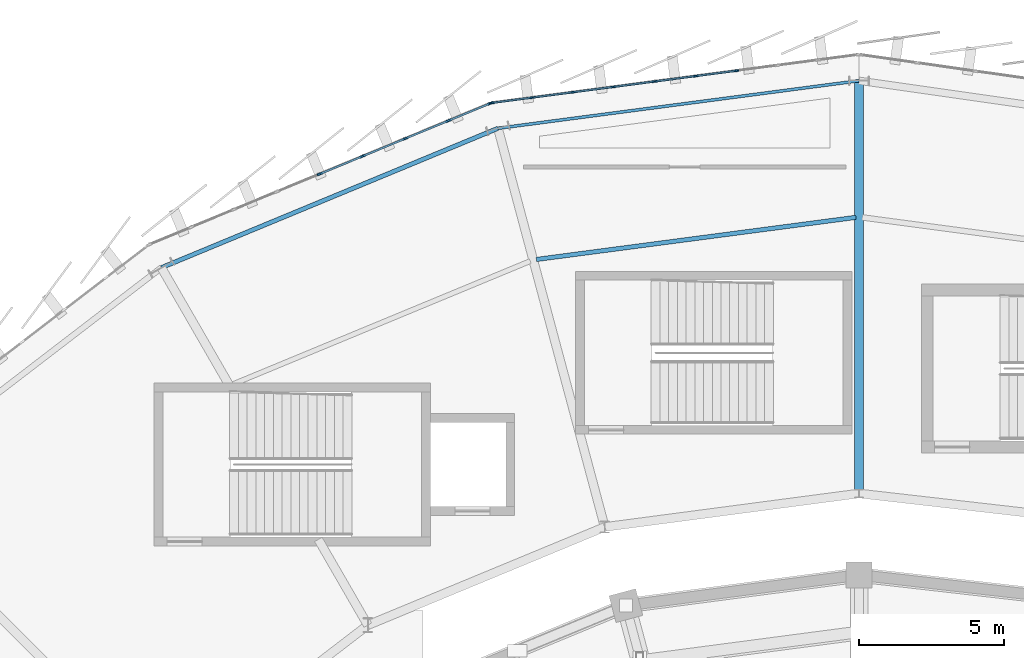
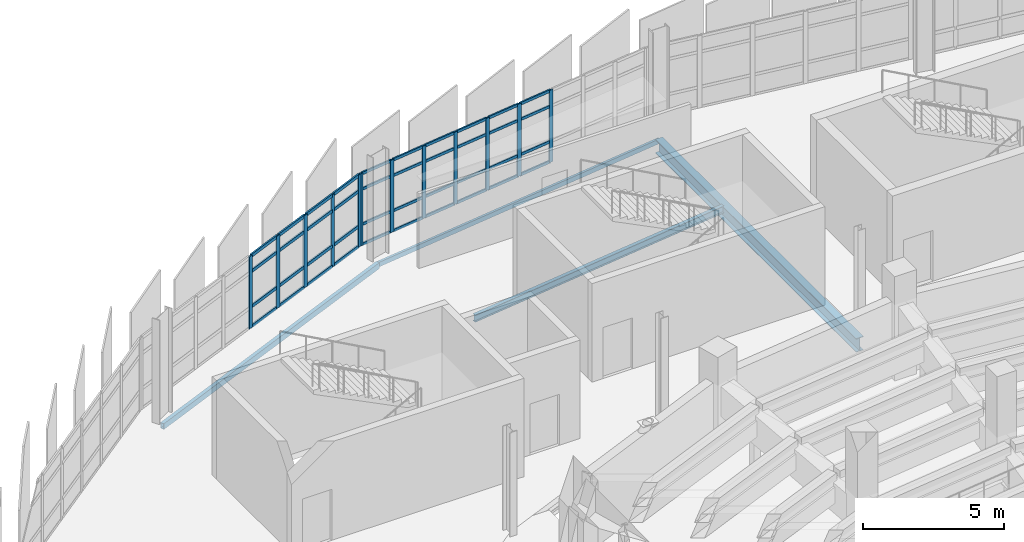
# One storey, part 51 of 120: 52 members, 4 beams, 2 elements without a shape of their own.
"""IFC4 building model written with IfcOpenShell, lengths in metres."""

from ifc_helpers import new_model, si_unit, direction, frame, origin, origin_2d, place, context, subcontext, project, spatial, rectangle, hollow_rectangle, i_section, extrude, material, layer, layer_set, material_profile, profile_set, type_object, element, aggregate, save


model = new_model("IFC4")

# Units and contexts
model_context = context("Model", 3, precision=1e-05, world=origin(), true_north=direction((0.0, 1.0)))
body_context = subcontext(model_context, "Body", "Model", "MODEL_VIEW")
ifc_project = project(units=[si_unit("LENGTHUNIT", "METRE"), si_unit("AREAUNIT", "SQUARE_METRE"), si_unit("VOLUMEUNIT", "CUBIC_METRE"), si_unit("PLANEANGLEUNIT", "RADIAN"), si_unit("MASSUNIT", "GRAM", prefix="KILO")], contexts=[model_context])

# Site, building, storey
site_placement = place(None, origin())
site = spatial("IfcSite", under=ifc_project, at=site_placement, CompositionType="ELEMENT")
building_placement = place(site_placement, origin())
building = spatial("IfcBuilding", under=site, at=building_placement, Name="Sohan Crest Arena", CompositionType="ELEMENT")
storey_placement = place(building_placement, frame((0.0, 0.0, 13.5)))
storey = spatial("IfcBuildingStorey", under=building, at=storey_placement, Name="L03", CompositionType="ELEMENT", Elevation=13.5)

# Curtain wall, members
ifc_material_1 = material(Name="Thermally broken anodised aluminium", Category="aluminium")
ifc_layer_1 = layer(ifc_material_1, 0.179931640625, Name="Thermally broken anodised aluminium")
ifc_layer_set_1 = layer_set([ifc_layer_1], Name="Thermally broken anodised aluminium")
curtain_wall_type_1 = type_object("IfcCurtainWallType", Name="ARC-CW01", PredefinedType="NOTDEFINED", material=ifc_layer_set_1)
curtain_wall_1_placement = place(storey_placement, origin())
curtain_wall_1 = element("IfcCurtainWall", 1, at=curtain_wall_1_placement, inside=storey, type_object=curtain_wall_type_1, Name="Unitised curtain wall CW-080", PredefinedType="NOTDEFINED")
ifc_material_profile_1 = material_profile(ifc_material_1, rectangle(XDim=0.06005859375, YDim=0.159912109375, at=origin_2d()), Name="ALU-MULL 60x160")
ifc_profile_set_1 = profile_set([ifc_material_profile_1], Name="Thermally broken anodised aluminium")
member_type_1 = type_object("IfcMemberType", Name="ARC-CW-ML01", PredefinedType="MULLION", material=ifc_profile_set_1)
member_1_placement = place(storey_placement, frame((93.78125, 126.3447265625, 0.0), z_axis=(0.0, 0.0, 1.0), x_axis=(0.130511252817, -0.991446828069, 0.0)))
member_1 = element("IfcMember", 2, at=member_1_placement, type_object=member_type_1, Name="CW-080 mullion 4", PredefinedType="MULLION", context=body_context, shape_type="SweptSolid", body=[
    extrude(rectangle(XDim=0.06005859375, YDim=0.159912109375, at=origin_2d()), origin(), (0.0, 0.0, 1.0), 3.1201171875),
])
member_2_placement = place(storey_placement, frame((92.375, 126.15966796875, 0.0), z_axis=(0.0, 0.0, 1.0), x_axis=(0.130511252817, -0.991446828069, 0.0)))
member_2 = element("IfcMember", 3, at=member_2_placement, type_object=member_type_1, Name="CW-080 mullion 5", PredefinedType="MULLION", context=body_context, shape_type="SweptSolid", body=[
    extrude(rectangle(XDim=0.06005859375, YDim=0.159912109375, at=origin_2d()), origin(), (0.0, 0.0, 1.0), 3.1201171875),
])
member_3_placement = place(storey_placement, frame((90.968994140625, 125.974365234375, 0.0), z_axis=(0.0, 0.0, 1.0), x_axis=(0.130511252817, -0.991446828069, 0.0)))
member_3 = element("IfcMember", 4, at=member_3_placement, type_object=member_type_1, Name="CW-080 mullion 6", PredefinedType="MULLION", context=body_context, shape_type="SweptSolid", body=[
    extrude(rectangle(XDim=0.06005859375, YDim=0.159912109375, at=origin_2d()), origin(), (0.0, 0.0, 1.0), 3.1201171875),
])
member_4_placement = place(storey_placement, frame((89.562744140625, 125.789306640625, 0.0), z_axis=(0.0, 0.0, 1.0), x_axis=(0.130511252817, -0.991446828069, 0.0)))
member_4 = element("IfcMember", 5, at=member_4_placement, type_object=member_type_1, Name="CW-080 mullion 7", PredefinedType="MULLION", context=body_context, shape_type="SweptSolid", body=[
    extrude(rectangle(XDim=0.06005859375, YDim=0.159912109375, at=origin_2d()), origin(), (0.0, 0.0, 1.0), 3.1201171875),
])
member_5_placement = place(storey_placement, frame((88.156494140625, 125.604248046875, 0.0), z_axis=(0.0, 0.0, 1.0), x_axis=(0.130511252817, -0.991446828069, 0.0)))
member_5 = element("IfcMember", 6, at=member_5_placement, type_object=member_type_1, Name="CW-080 mullion 8", PredefinedType="MULLION", context=body_context, shape_type="SweptSolid", body=[
    extrude(rectangle(XDim=0.06005859375, YDim=0.159912109375, at=origin_2d()), origin(), (0.0, 0.0, 1.0), 3.1201171875),
])
member_6_placement = place(storey_placement, frame((86.750244140625, 125.419189453125, 0.0), z_axis=(0.0, 0.0, 1.0), x_axis=(0.130511252817, -0.991446828069, 0.0)))
member_6 = element("IfcMember", 7, at=member_6_placement, type_object=member_type_1, Name="CW-080 mullion 9", PredefinedType="MULLION", context=body_context, shape_type="SweptSolid", body=[
    extrude(rectangle(XDim=0.06005859375, YDim=0.159912109375, at=origin_2d()), origin(), (0.0, 0.0, 1.0), 3.1201171875),
])
member_7_placement = place(storey_placement, frame((85.373779296875, 125.238037109375, 0.0), z_axis=(0.0, 0.0, 1.0), x_axis=(0.130511252817, -0.991446828069, 0.0)))
member_7 = element("IfcMember", 8, at=member_7_placement, type_object=member_type_1, Name="CW-080 mullion 10", PredefinedType="MULLION", context=body_context, shape_type="SweptSolid", body=[
    extrude(rectangle(XDim=0.06005859375, YDim=0.159912109375, at=origin_2d()), origin(), (0.0, 0.0, 1.0), 3.1201171875),
])

ifc_layer_2 = layer(ifc_material_1, 0.199951171875, Name="Thermally broken anodised aluminium")
ifc_layer_set_2 = layer_set([ifc_layer_2], Name="Thermally broken anodised aluminium")
curtain_wall_type_2 = type_object("IfcCurtainWallType", Name="ARC-CW02", PredefinedType="NOTDEFINED", material=ifc_layer_set_2)
curtain_wall_2_placement = place(storey_placement, origin())
curtain_wall_2 = element("IfcCurtainWall", 9, at=curtain_wall_2_placement, inside=storey, type_object=curtain_wall_type_2, Name="Unitised curtain wall CW-081", PredefinedType="NOTDEFINED")
ifc_material_profile_2 = material_profile(ifc_material_1, rectangle(XDim=0.06494140625, YDim=0.179931640625, at=origin_2d()), Name="ALU-MULL 65x180")
ifc_profile_set_2 = profile_set([ifc_material_profile_2], Name="Thermally broken anodised aluminium")
member_type_2 = type_object("IfcMemberType", Name="ARC-CW-ML02", PredefinedType="MULLION", material=ifc_profile_set_2)
member_8_placement = place(storey_placement, frame((85.31396484375, 125.2216796875, 0.0), z_axis=(0.0, 0.0, 1.0), x_axis=(0.382667735827, -0.923886034074, 0.0)))
member_8 = element("IfcMember", 10, at=member_8_placement, type_object=member_type_2, Name="CW-081 mullion 1", PredefinedType="MULLION", context=body_context, shape_type="SweptSolid", body=[
    extrude(rectangle(XDim=0.06494140625, YDim=0.179931640625, at=origin_2d()), origin(), (0.0, 0.0, 1.0), 3.1201171875),
])
member_9_placement = place(storey_placement, frame((83.86962890625, 124.623291015625, 0.0), z_axis=(0.0, 0.0, 1.0), x_axis=(0.382667735827, -0.923886034074, 0.0)))
member_9 = element("IfcMember", 11, at=member_9_placement, type_object=member_type_2, Name="CW-081 mullion 2", PredefinedType="MULLION", context=body_context, shape_type="SweptSolid", body=[
    extrude(rectangle(XDim=0.06494140625, YDim=0.179931640625, at=origin_2d()), origin(), (0.0, 0.0, 1.0), 3.1201171875),
])
member_10_placement = place(storey_placement, frame((82.3955078125, 124.0126953125, 0.0), z_axis=(0.0, 0.0, 1.0), x_axis=(0.382667735827, -0.923886034074, 0.0)))
member_10 = element("IfcMember", 12, at=member_10_placement, type_object=member_type_2, Name="CW-081 mullion 3", PredefinedType="MULLION", context=body_context, shape_type="SweptSolid", body=[
    extrude(rectangle(XDim=0.06494140625, YDim=0.179931640625, at=origin_2d()), origin(), (0.0, 0.0, 1.0), 3.1201171875),
])
member_11_placement = place(storey_placement, frame((80.921142578125, 123.402099609375, 0.0), z_axis=(0.0, 0.0, 1.0), x_axis=(0.382667735827, -0.923886034074, 0.0)))
member_11 = element("IfcMember", 13, at=member_11_placement, type_object=member_type_2, Name="CW-081 mullion 4", PredefinedType="MULLION", context=body_context, shape_type="SweptSolid", body=[
    extrude(rectangle(XDim=0.06494140625, YDim=0.179931640625, at=origin_2d()), origin(), (0.0, 0.0, 1.0), 3.1201171875),
])
member_12_placement = place(storey_placement, frame((79.447021484375, 122.79150390625, 0.0), z_axis=(0.0, 0.0, 1.0), x_axis=(0.382667735827, -0.923886034074, 0.0)))
member_12 = element("IfcMember", 14, at=member_12_placement, type_object=member_type_2, Name="CW-081 mullion 5", PredefinedType="MULLION", context=body_context, shape_type="SweptSolid", body=[
    extrude(rectangle(XDim=0.06494140625, YDim=0.179931640625, at=origin_2d()), origin(), (0.0, 0.0, 1.0), 3.1201171875),
])

# Member
ifc_material_profile_3 = material_profile(ifc_material_1, rectangle(XDim=0.06005859375, YDim=0.1201171875, at=origin_2d()), Name="ALU-TRAN 60x120")
ifc_profile_set_3 = profile_set([ifc_material_profile_3], Name="Thermally broken anodised aluminium")
member_type_3 = type_object("IfcMemberType", Name="ARC-CW-TR01", PredefinedType="USERDEFINED", material=ifc_profile_set_3)
member_13_placement = place(storey_placement, frame((93.751708984375, 126.3408203125, 0.030029296875), z_axis=(-0.991452460435, -0.130468458633, 0.0), x_axis=(0.130468458633, -0.991452460435, 0.0)))
member_13 = element("IfcMember", 15, at=member_13_placement, type_object=member_type_3, Name="CW-080 transom 4.1", ObjectType="TRANSOM", PredefinedType="USERDEFINED", context=body_context, shape_type="SweptSolid", body=[
    extrude(rectangle(XDim=0.06005859375, YDim=0.1201171875, at=origin_2d()), origin(), (0.0, 0.0, 1.0), 1.358642578125),
])

member_14_placement = place(storey_placement, frame((93.751708984375, 126.3408203125, 0.89990234375), z_axis=(-0.991452460435, -0.130468458633, 0.0), x_axis=(0.130468458633, -0.991452460435, 0.0)))
member_14 = element("IfcMember", 16, at=member_14_placement, type_object=member_type_3, Name="CW-080 transom 4.2", ObjectType="TRANSOM", PredefinedType="USERDEFINED", context=body_context, shape_type="SweptSolid", body=[
    extrude(rectangle(XDim=0.06005859375, YDim=0.1201171875, at=origin_2d()), origin(), (0.0, 0.0, 1.0), 1.358642578125),
])

member_15_placement = place(storey_placement, frame((93.751708984375, 126.3408203125, 2.419921875), z_axis=(-0.991452460435, -0.130468458633, 0.0), x_axis=(0.130468458633, -0.991452460435, 0.0)))
member_15 = element("IfcMember", 17, at=member_15_placement, type_object=member_type_3, Name="CW-080 transom 4.3", ObjectType="TRANSOM", PredefinedType="USERDEFINED", context=body_context, shape_type="SweptSolid", body=[
    extrude(rectangle(XDim=0.06005859375, YDim=0.1201171875, at=origin_2d()), origin(), (0.0, 0.0, 1.0), 1.358642578125),
])

member_16_placement = place(storey_placement, frame((93.751708984375, 126.3408203125, 3.090087890625), z_axis=(-0.991452460435, -0.130468458633, 0.0), x_axis=(0.130468458633, -0.991452460435, 0.0)))
member_16 = element("IfcMember", 18, at=member_16_placement, type_object=member_type_3, Name="CW-080 transom 4.4", ObjectType="TRANSOM", PredefinedType="USERDEFINED", context=body_context, shape_type="SweptSolid", body=[
    extrude(rectangle(XDim=0.06005859375, YDim=0.1201171875, at=origin_2d()), origin(), (0.0, 0.0, 1.0), 1.358642578125),
])

member_17_placement = place(storey_placement, frame((92.345458984375, 126.15576171875, 0.030029296875), z_axis=(-0.991429199345, -0.130645102034, 0.0), x_axis=(0.130645102034, -0.991429199345, 0.0)))
member_17 = element("IfcMember", 19, at=member_17_placement, type_object=member_type_3, Name="CW-080 transom 5.1", ObjectType="TRANSOM", PredefinedType="USERDEFINED", context=body_context, shape_type="SweptSolid", body=[
    extrude(rectangle(XDim=0.06005859375, YDim=0.1201171875, at=origin_2d()), origin(), (0.0, 0.0, 1.0), 1.358642578125),
])

member_18_placement = place(storey_placement, frame((92.345458984375, 126.15576171875, 0.89990234375), z_axis=(-0.991429199345, -0.130645102034, 0.0), x_axis=(0.130645102034, -0.991429199345, 0.0)))
member_18 = element("IfcMember", 20, at=member_18_placement, type_object=member_type_3, Name="CW-080 transom 5.2", ObjectType="TRANSOM", PredefinedType="USERDEFINED", context=body_context, shape_type="SweptSolid", body=[
    extrude(rectangle(XDim=0.06005859375, YDim=0.1201171875, at=origin_2d()), origin(), (0.0, 0.0, 1.0), 1.358642578125),
])

member_19_placement = place(storey_placement, frame((92.345458984375, 126.15576171875, 2.419921875), z_axis=(-0.991429199345, -0.130645102034, 0.0), x_axis=(0.130645102034, -0.991429199345, 0.0)))
member_19 = element("IfcMember", 21, at=member_19_placement, type_object=member_type_3, Name="CW-080 transom 5.3", ObjectType="TRANSOM", PredefinedType="USERDEFINED", context=body_context, shape_type="SweptSolid", body=[
    extrude(rectangle(XDim=0.06005859375, YDim=0.1201171875, at=origin_2d()), origin(), (0.0, 0.0, 1.0), 1.358642578125),
])

member_20_placement = place(storey_placement, frame((92.345458984375, 126.15576171875, 3.090087890625), z_axis=(-0.991429199345, -0.130645102034, 0.0), x_axis=(0.130645102034, -0.991429199345, 0.0)))
member_20 = element("IfcMember", 22, at=member_20_placement, type_object=member_type_3, Name="CW-080 transom 5.4", ObjectType="TRANSOM", PredefinedType="USERDEFINED", context=body_context, shape_type="SweptSolid", body=[
    extrude(rectangle(XDim=0.06005859375, YDim=0.1201171875, at=origin_2d()), origin(), (0.0, 0.0, 1.0), 1.358642578125),
])

member_21_placement = place(storey_placement, frame((90.939208984375, 125.970458984375, 0.030029296875), z_axis=(-0.991449400613, -0.130491708638, 0.0), x_axis=(0.130491708638, -0.991449400613, 0.0)))
member_21 = element("IfcMember", 23, at=member_21_placement, type_object=member_type_3, Name="CW-080 transom 6.1", ObjectType="TRANSOM", PredefinedType="USERDEFINED", context=body_context, shape_type="SweptSolid", body=[
    extrude(rectangle(XDim=0.06005859375, YDim=0.1201171875, at=origin_2d()), origin(), (0.0, 0.0, 1.0), 1.3583984375),
])

member_22_placement = place(storey_placement, frame((90.939208984375, 125.970458984375, 0.89990234375), z_axis=(-0.991449400613, -0.130491708638, 0.0), x_axis=(0.130491708638, -0.991449400613, 0.0)))
member_22 = element("IfcMember", 24, at=member_22_placement, type_object=member_type_3, Name="CW-080 transom 6.2", ObjectType="TRANSOM", PredefinedType="USERDEFINED", context=body_context, shape_type="SweptSolid", body=[
    extrude(rectangle(XDim=0.06005859375, YDim=0.1201171875, at=origin_2d()), origin(), (0.0, 0.0, 1.0), 1.3583984375),
])

member_23_placement = place(storey_placement, frame((90.939208984375, 125.970458984375, 2.419921875), z_axis=(-0.991449400613, -0.130491708638, 0.0), x_axis=(0.130491708638, -0.991449400613, 0.0)))
member_23 = element("IfcMember", 25, at=member_23_placement, type_object=member_type_3, Name="CW-080 transom 6.3", ObjectType="TRANSOM", PredefinedType="USERDEFINED", context=body_context, shape_type="SweptSolid", body=[
    extrude(rectangle(XDim=0.06005859375, YDim=0.1201171875, at=origin_2d()), origin(), (0.0, 0.0, 1.0), 1.3583984375),
])

member_24_placement = place(storey_placement, frame((90.939208984375, 125.970458984375, 3.090087890625), z_axis=(-0.991449400613, -0.130491708638, 0.0), x_axis=(0.130491708638, -0.991449400613, 0.0)))
member_24 = element("IfcMember", 26, at=member_24_placement, type_object=member_type_3, Name="CW-080 transom 6.4", ObjectType="TRANSOM", PredefinedType="USERDEFINED", context=body_context, shape_type="SweptSolid", body=[
    extrude(rectangle(XDim=0.06005859375, YDim=0.1201171875, at=origin_2d()), origin(), (0.0, 0.0, 1.0), 1.3583984375),
])

member_25_placement = place(storey_placement, frame((89.532958984375, 125.785400390625, 0.030029296875), z_axis=(-0.991449400613, -0.130491708638, 0.0), x_axis=(0.130491708638, -0.991449400613, 0.0)))
member_25 = element("IfcMember", 27, at=member_25_placement, type_object=member_type_3, Name="CW-080 transom 7.1", ObjectType="TRANSOM", PredefinedType="USERDEFINED", context=body_context, shape_type="SweptSolid", body=[
    extrude(rectangle(XDim=0.06005859375, YDim=0.1201171875, at=origin_2d()), origin(), (0.0, 0.0, 1.0), 1.3583984375),
])

member_26_placement = place(storey_placement, frame((89.532958984375, 125.785400390625, 0.89990234375), z_axis=(-0.991449400613, -0.130491708638, 0.0), x_axis=(0.130491708638, -0.991449400613, 0.0)))
member_26 = element("IfcMember", 28, at=member_26_placement, type_object=member_type_3, Name="CW-080 transom 7.2", ObjectType="TRANSOM", PredefinedType="USERDEFINED", context=body_context, shape_type="SweptSolid", body=[
    extrude(rectangle(XDim=0.06005859375, YDim=0.1201171875, at=origin_2d()), origin(), (0.0, 0.0, 1.0), 1.3583984375),
])

member_27_placement = place(storey_placement, frame((89.532958984375, 125.785400390625, 2.419921875), z_axis=(-0.991449400613, -0.130491708638, 0.0), x_axis=(0.130491708638, -0.991449400613, 0.0)))
member_27 = element("IfcMember", 29, at=member_27_placement, type_object=member_type_3, Name="CW-080 transom 7.3", ObjectType="TRANSOM", PredefinedType="USERDEFINED", context=body_context, shape_type="SweptSolid", body=[
    extrude(rectangle(XDim=0.06005859375, YDim=0.1201171875, at=origin_2d()), origin(), (0.0, 0.0, 1.0), 1.3583984375),
])

member_28_placement = place(storey_placement, frame((89.532958984375, 125.785400390625, 3.090087890625), z_axis=(-0.991449400613, -0.130491708638, 0.0), x_axis=(0.130491708638, -0.991449400613, 0.0)))
member_28 = element("IfcMember", 30, at=member_28_placement, type_object=member_type_3, Name="CW-080 transom 7.4", ObjectType="TRANSOM", PredefinedType="USERDEFINED", context=body_context, shape_type="SweptSolid", body=[
    extrude(rectangle(XDim=0.06005859375, YDim=0.1201171875, at=origin_2d()), origin(), (0.0, 0.0, 1.0), 1.3583984375),
])

member_29_placement = place(storey_placement, frame((88.126708984375, 125.600341796875, 0.030029296875), z_axis=(-0.991449400613, -0.130491708638, 0.0), x_axis=(0.130491708638, -0.991449400613, 0.0)))
member_29 = element("IfcMember", 31, at=member_29_placement, type_object=member_type_3, Name="CW-080 transom 8.1", ObjectType="TRANSOM", PredefinedType="USERDEFINED", context=body_context, shape_type="SweptSolid", body=[
    extrude(rectangle(XDim=0.06005859375, YDim=0.1201171875, at=origin_2d()), origin(), (0.0, 0.0, 1.0), 1.3583984375),
])

member_30_placement = place(storey_placement, frame((88.126708984375, 125.600341796875, 0.89990234375), z_axis=(-0.991449400613, -0.130491708638, 0.0), x_axis=(0.130491708638, -0.991449400613, 0.0)))
member_30 = element("IfcMember", 32, at=member_30_placement, type_object=member_type_3, Name="CW-080 transom 8.2", ObjectType="TRANSOM", PredefinedType="USERDEFINED", context=body_context, shape_type="SweptSolid", body=[
    extrude(rectangle(XDim=0.06005859375, YDim=0.1201171875, at=origin_2d()), origin(), (0.0, 0.0, 1.0), 1.3583984375),
])

member_31_placement = place(storey_placement, frame((88.126708984375, 125.600341796875, 2.419921875), z_axis=(-0.991449400613, -0.130491708638, 0.0), x_axis=(0.130491708638, -0.991449400613, 0.0)))
member_31 = element("IfcMember", 33, at=member_31_placement, type_object=member_type_3, Name="CW-080 transom 8.3", ObjectType="TRANSOM", PredefinedType="USERDEFINED", context=body_context, shape_type="SweptSolid", body=[
    extrude(rectangle(XDim=0.06005859375, YDim=0.1201171875, at=origin_2d()), origin(), (0.0, 0.0, 1.0), 1.3583984375),
])

member_32_placement = place(storey_placement, frame((88.126708984375, 125.600341796875, 3.090087890625), z_axis=(-0.991449400613, -0.130491708638, 0.0), x_axis=(0.130491708638, -0.991449400613, 0.0)))
member_32 = element("IfcMember", 34, at=member_32_placement, type_object=member_type_3, Name="CW-080 transom 8.4", ObjectType="TRANSOM", PredefinedType="USERDEFINED", context=body_context, shape_type="SweptSolid", body=[
    extrude(rectangle(XDim=0.06005859375, YDim=0.1201171875, at=origin_2d()), origin(), (0.0, 0.0, 1.0), 1.3583984375),
])

member_33_placement = place(storey_placement, frame((86.720458984375, 125.415283203125, 0.030029296875), z_axis=(-0.991448038251, -0.130502059169, 0.0), x_axis=(0.130502059169, -0.991448038251, 0.0)))
member_33 = element("IfcMember", 35, at=member_33_placement, type_object=member_type_3, Name="CW-080 transom 9.1", ObjectType="TRANSOM", PredefinedType="USERDEFINED", context=body_context, shape_type="SweptSolid", body=[
    extrude(rectangle(XDim=0.06005859375, YDim=0.1201171875, at=origin_2d()), origin(), (0.0, 0.0, 1.0), 1.328369140625),
])

member_34_placement = place(storey_placement, frame((86.720458984375, 125.415283203125, 0.89990234375), z_axis=(-0.991448038251, -0.130502059169, 0.0), x_axis=(0.130502059169, -0.991448038251, 0.0)))
member_34 = element("IfcMember", 36, at=member_34_placement, type_object=member_type_3, Name="CW-080 transom 9.2", ObjectType="TRANSOM", PredefinedType="USERDEFINED", context=body_context, shape_type="SweptSolid", body=[
    extrude(rectangle(XDim=0.06005859375, YDim=0.1201171875, at=origin_2d()), origin(), (0.0, 0.0, 1.0), 1.328369140625),
])

member_35_placement = place(storey_placement, frame((86.720458984375, 125.415283203125, 2.419921875), z_axis=(-0.991448038251, -0.130502059169, 0.0), x_axis=(0.130502059169, -0.991448038251, 0.0)))
member_35 = element("IfcMember", 37, at=member_35_placement, type_object=member_type_3, Name="CW-080 transom 9.3", ObjectType="TRANSOM", PredefinedType="USERDEFINED", context=body_context, shape_type="SweptSolid", body=[
    extrude(rectangle(XDim=0.06005859375, YDim=0.1201171875, at=origin_2d()), origin(), (0.0, 0.0, 1.0), 1.328369140625),
])

member_36_placement = place(storey_placement, frame((86.720458984375, 125.415283203125, 3.090087890625), z_axis=(-0.991448038251, -0.130502059169, 0.0), x_axis=(0.130502059169, -0.991448038251, 0.0)))
member_36 = element("IfcMember", 38, at=member_36_placement, type_object=member_type_3, Name="CW-080 transom 9.4", ObjectType="TRANSOM", PredefinedType="USERDEFINED", context=body_context, shape_type="SweptSolid", body=[
    extrude(rectangle(XDim=0.06005859375, YDim=0.1201171875, at=origin_2d()), origin(), (0.0, 0.0, 1.0), 1.328369140625),
])

aggregate(curtain_wall_1, [member_1, member_2, member_3, member_4, member_5, member_6, member_7, member_13, member_14, member_15, member_16, member_17, member_18, member_19, member_20, member_21, member_22, member_23, member_24, member_25, member_26, member_27, member_28, member_29, member_30, member_31, member_32, member_33, member_34, member_35, member_36])

ifc_material_profile_4 = material_profile(ifc_material_1, rectangle(XDim=0.06494140625, YDim=0.139892578125, at=origin_2d()), Name="ALU-TRAN 65x140")
ifc_profile_set_4 = profile_set([ifc_material_profile_4], Name="Thermally broken anodised aluminium")
member_type_4 = type_object("IfcMemberType", Name="ARC-CW-TR02", PredefinedType="USERDEFINED", material=ifc_profile_set_4)
member_37_placement = place(storey_placement, frame((85.283935546875, 125.209228515625, 0.032470703125), z_axis=(-0.923855963606, -0.38274032778, 0.0), x_axis=(0.38274032778, -0.923855963606, 0.0)))
member_37 = element("IfcMember", 39, at=member_37_placement, type_object=member_type_4, Name="CW-081 transom 1.1", ObjectType="TRANSOM", PredefinedType="USERDEFINED", context=body_context, shape_type="SweptSolid", body=[
    extrude(rectangle(XDim=0.06494140625, YDim=0.139892578125, at=origin_2d()), origin(), (0.0, 0.0, 1.0), 1.498291015625),
])

member_38_placement = place(storey_placement, frame((85.283935546875, 125.209228515625, 0.89990234375), z_axis=(-0.923855963606, -0.38274032778, 0.0), x_axis=(0.38274032778, -0.923855963606, 0.0)))
member_38 = element("IfcMember", 40, at=member_38_placement, type_object=member_type_4, Name="CW-081 transom 1.2", ObjectType="TRANSOM", PredefinedType="USERDEFINED", context=body_context, shape_type="SweptSolid", body=[
    extrude(rectangle(XDim=0.06494140625, YDim=0.139892578125, at=origin_2d()), origin(), (0.0, 0.0, 1.0), 1.498291015625),
])

member_39_placement = place(storey_placement, frame((85.283935546875, 125.209228515625, 2.419921875), z_axis=(-0.923855963606, -0.38274032778, 0.0), x_axis=(0.38274032778, -0.923855963606, 0.0)))
member_39 = element("IfcMember", 41, at=member_39_placement, type_object=member_type_4, Name="CW-081 transom 1.3", ObjectType="TRANSOM", PredefinedType="USERDEFINED", context=body_context, shape_type="SweptSolid", body=[
    extrude(rectangle(XDim=0.06494140625, YDim=0.139892578125, at=origin_2d()), origin(), (0.0, 0.0, 1.0), 1.498291015625),
])

member_40_placement = place(storey_placement, frame((85.283935546875, 125.209228515625, 3.08740234375), z_axis=(-0.923855963606, -0.38274032778, 0.0), x_axis=(0.38274032778, -0.923855963606, 0.0)))
member_40 = element("IfcMember", 42, at=member_40_placement, type_object=member_type_4, Name="CW-081 transom 1.4", ObjectType="TRANSOM", PredefinedType="USERDEFINED", context=body_context, shape_type="SweptSolid", body=[
    extrude(rectangle(XDim=0.06494140625, YDim=0.139892578125, at=origin_2d()), origin(), (0.0, 0.0, 1.0), 1.498291015625),
])

member_41_placement = place(storey_placement, frame((83.83984375, 124.61083984375, 0.032470703125), z_axis=(-0.923909931744, -0.382610033878, 0.0), x_axis=(0.382610033878, -0.923909931744, 0.0)))
member_41 = element("IfcMember", 43, at=member_41_placement, type_object=member_type_4, Name="CW-081 transom 2.1", ObjectType="TRANSOM", PredefinedType="USERDEFINED", context=body_context, shape_type="SweptSolid", body=[
    extrude(rectangle(XDim=0.06494140625, YDim=0.139892578125, at=origin_2d()), origin(), (0.0, 0.0, 1.0), 1.53076171875),
])

member_42_placement = place(storey_placement, frame((83.83984375, 124.61083984375, 0.89990234375), z_axis=(-0.923909931744, -0.382610033878, 0.0), x_axis=(0.382610033878, -0.923909931744, 0.0)))
member_42 = element("IfcMember", 44, at=member_42_placement, type_object=member_type_4, Name="CW-081 transom 2.2", ObjectType="TRANSOM", PredefinedType="USERDEFINED", context=body_context, shape_type="SweptSolid", body=[
    extrude(rectangle(XDim=0.06494140625, YDim=0.139892578125, at=origin_2d()), origin(), (0.0, 0.0, 1.0), 1.53076171875),
])

member_43_placement = place(storey_placement, frame((83.83984375, 124.61083984375, 2.419921875), z_axis=(-0.923909931744, -0.382610033878, 0.0), x_axis=(0.382610033878, -0.923909931744, 0.0)))
member_43 = element("IfcMember", 45, at=member_43_placement, type_object=member_type_4, Name="CW-081 transom 2.3", ObjectType="TRANSOM", PredefinedType="USERDEFINED", context=body_context, shape_type="SweptSolid", body=[
    extrude(rectangle(XDim=0.06494140625, YDim=0.139892578125, at=origin_2d()), origin(), (0.0, 0.0, 1.0), 1.53076171875),
])

member_44_placement = place(storey_placement, frame((83.83984375, 124.61083984375, 3.08740234375), z_axis=(-0.923909931744, -0.382610033878, 0.0), x_axis=(0.382610033878, -0.923909931744, 0.0)))
member_44 = element("IfcMember", 46, at=member_44_placement, type_object=member_type_4, Name="CW-081 transom 2.4", ObjectType="TRANSOM", PredefinedType="USERDEFINED", context=body_context, shape_type="SweptSolid", body=[
    extrude(rectangle(XDim=0.06494140625, YDim=0.139892578125, at=origin_2d()), origin(), (0.0, 0.0, 1.0), 1.53076171875),
])

member_45_placement = place(storey_placement, frame((82.365478515625, 124.000244140625, 0.032470703125), z_axis=(-0.923909931744, -0.382610033878, 0.0), x_axis=(0.382610033878, -0.923909931744, 0.0)))
member_45 = element("IfcMember", 47, at=member_45_placement, type_object=member_type_4, Name="CW-081 transom 3.1", ObjectType="TRANSOM", PredefinedType="USERDEFINED", context=body_context, shape_type="SweptSolid", body=[
    extrude(rectangle(XDim=0.06494140625, YDim=0.139892578125, at=origin_2d()), origin(), (0.0, 0.0, 1.0), 1.53076171875),
])

member_46_placement = place(storey_placement, frame((82.365478515625, 124.000244140625, 0.89990234375), z_axis=(-0.923909931744, -0.382610033878, 0.0), x_axis=(0.382610033878, -0.923909931744, 0.0)))
member_46 = element("IfcMember", 48, at=member_46_placement, type_object=member_type_4, Name="CW-081 transom 3.2", ObjectType="TRANSOM", PredefinedType="USERDEFINED", context=body_context, shape_type="SweptSolid", body=[
    extrude(rectangle(XDim=0.06494140625, YDim=0.139892578125, at=origin_2d()), origin(), (0.0, 0.0, 1.0), 1.53076171875),
])

member_47_placement = place(storey_placement, frame((82.365478515625, 124.000244140625, 2.419921875), z_axis=(-0.923909931744, -0.382610033878, 0.0), x_axis=(0.382610033878, -0.923909931744, 0.0)))
member_47 = element("IfcMember", 49, at=member_47_placement, type_object=member_type_4, Name="CW-081 transom 3.3", ObjectType="TRANSOM", PredefinedType="USERDEFINED", context=body_context, shape_type="SweptSolid", body=[
    extrude(rectangle(XDim=0.06494140625, YDim=0.139892578125, at=origin_2d()), origin(), (0.0, 0.0, 1.0), 1.53076171875),
])

member_48_placement = place(storey_placement, frame((82.365478515625, 124.000244140625, 3.08740234375), z_axis=(-0.923909931744, -0.382610033878, 0.0), x_axis=(0.382610033878, -0.923909931744, 0.0)))
member_48 = element("IfcMember", 50, at=member_48_placement, type_object=member_type_4, Name="CW-081 transom 3.4", ObjectType="TRANSOM", PredefinedType="USERDEFINED", context=body_context, shape_type="SweptSolid", body=[
    extrude(rectangle(XDim=0.06494140625, YDim=0.139892578125, at=origin_2d()), origin(), (0.0, 0.0, 1.0), 1.53076171875),
])

member_49_placement = place(storey_placement, frame((80.89111328125, 123.3896484375, 0.032470703125), z_axis=(-0.923886579167, -0.38266641979, 0.0), x_axis=(0.38266641979, -0.923886579167, 0.0)))
member_49 = element("IfcMember", 51, at=member_49_placement, type_object=member_type_4, Name="CW-081 transom 4.1", ObjectType="TRANSOM", PredefinedType="USERDEFINED", context=body_context, shape_type="SweptSolid", body=[
    extrude(rectangle(XDim=0.06494140625, YDim=0.139892578125, at=origin_2d()), origin(), (0.0, 0.0, 1.0), 1.530517578125),
])

member_50_placement = place(storey_placement, frame((80.89111328125, 123.3896484375, 0.89990234375), z_axis=(-0.923886579167, -0.38266641979, 0.0), x_axis=(0.38266641979, -0.923886579167, 0.0)))
member_50 = element("IfcMember", 52, at=member_50_placement, type_object=member_type_4, Name="CW-081 transom 4.2", ObjectType="TRANSOM", PredefinedType="USERDEFINED", context=body_context, shape_type="SweptSolid", body=[
    extrude(rectangle(XDim=0.06494140625, YDim=0.139892578125, at=origin_2d()), origin(), (0.0, 0.0, 1.0), 1.530517578125),
])

member_51_placement = place(storey_placement, frame((80.89111328125, 123.3896484375, 2.419921875), z_axis=(-0.923886579167, -0.38266641979, 0.0), x_axis=(0.38266641979, -0.923886579167, 0.0)))
member_51 = element("IfcMember", 53, at=member_51_placement, type_object=member_type_4, Name="CW-081 transom 4.3", ObjectType="TRANSOM", PredefinedType="USERDEFINED", context=body_context, shape_type="SweptSolid", body=[
    extrude(rectangle(XDim=0.06494140625, YDim=0.139892578125, at=origin_2d()), origin(), (0.0, 0.0, 1.0), 1.530517578125),
])

member_52_placement = place(storey_placement, frame((80.89111328125, 123.3896484375, 3.08740234375), z_axis=(-0.923886579167, -0.38266641979, 0.0), x_axis=(0.38266641979, -0.923886579167, 0.0)))
member_52 = element("IfcMember", 54, at=member_52_placement, type_object=member_type_4, Name="CW-081 transom 4.4", ObjectType="TRANSOM", PredefinedType="USERDEFINED", context=body_context, shape_type="SweptSolid", body=[
    extrude(rectangle(XDim=0.06494140625, YDim=0.139892578125, at=origin_2d()), origin(), (0.0, 0.0, 1.0), 1.530517578125),
])

aggregate(curtain_wall_2, [member_8, member_9, member_10, member_11, member_12, member_37, member_38, member_39, member_40, member_41, member_42, member_43, member_44, member_45, member_46, member_47, member_48, member_49, member_50, member_51, member_52])

# Beams
ifc_material_2 = material(Name="Steel S355", Category="steel")
ifc_material_profile_5 = material_profile(ifc_material_2, i_section(OverallWidth=0.14990234375, OverallDepth=0.300048828125, WebThickness=0.007080078125, FlangeThickness=0.0107421875, at=origin_2d()), Name="IPE 300")
ifc_profile_set_5 = profile_set([ifc_material_profile_5], Name="Steel S355")
beam_type_1 = type_object("IfcBeamType", Name="STR-BM-B01", PredefinedType="JOIST", material=ifc_profile_set_5)
beam_1_placement = place(storey_placement, frame((97.89111328125, 121.300048828125, -0.39990234375), z_axis=(-0.991434947697, -0.130601471988, 0.0), x_axis=(0.130601471988, -0.991434947697, 0.0)))
element("IfcBeam", 55, at=beam_1_placement, inside=storey, type_object=beam_type_1, Name="Structural beam J-L03-1402", PredefinedType="JOIST", context=body_context, shape_type="SweptSolid", body=[
    extrude(i_section(OverallWidth=0.14990234375, OverallDepth=0.300048828125, WebThickness=0.007080078125, FlangeThickness=0.0107421875, at=origin_2d()), origin(), (0.0, 0.0, 1.0), 11.087158203125),
])
ifc_material_profile_6 = material_profile(ifc_material_2, i_section(OverallWidth=0.300048828125, OverallDepth=0.590087890625, WebThickness=0.012939453125, FlangeThickness=0.02490234375, at=origin_2d()), Name="HEA 600")
ifc_profile_set_6 = profile_set([ifc_material_profile_6], Name="Steel S355")
beam_type_2 = type_object("IfcBeamType", Name="STR-BM-B11", PredefinedType="BEAM", material=ifc_profile_set_6)
beam_2_placement = place(storey_placement, frame((98.0, 111.800048828125, -0.544921875), z_axis=(0.0, 1.0, 0.0), x_axis=(-1.0, 0.0, 0.0)))
element("IfcBeam", 56, at=beam_2_placement, inside=storey, type_object=beam_type_2, Name="Structural beam G-L03-1399", PredefinedType="BEAM", context=body_context, shape_type="SweptSolid", body=[
    extrude(i_section(OverallWidth=0.300048828125, OverallDepth=0.590087890625, WebThickness=0.012939453125, FlangeThickness=0.02490234375, at=origin_2d()), origin(), (0.0, 0.0, 1.0), 14.199951171875),
])
ifc_material_profile_7 = material_profile(ifc_material_2, hollow_rectangle(XDim=0.10009765625, YDim=0.199951171875, WallThickness=0.008056640625, at=origin_2d()), Name="RHS 200x100x8")
ifc_profile_set_7 = profile_set([ifc_material_profile_7], Name="Steel S355")
beam_type_3 = type_object("IfcBeamType", Name="STR-BM-SP01", PredefinedType="SPANDREL", material=ifc_profile_set_7)
beam_3_placement = place(storey_placement, frame((98.0, 126.0, -0.35009765625), z_axis=(-0.991440164207, -0.130561865783, 0.0), x_axis=(0.130561865783, -0.991440164207, 0.0)))
element("IfcBeam", 57, at=beam_3_placement, inside=storey, type_object=beam_type_3, Name="Structural beam SP-L03-1401", PredefinedType="SPANDREL", context=body_context, shape_type="SweptSolid", body=[
    extrude(hollow_rectangle(XDim=0.10009765625, YDim=0.199951171875, WallThickness=0.008056640625, at=origin_2d()), origin(), (0.0, 0.0, 1.0), 12.5302734375),
])
ifc_material_profile_8 = material_profile(ifc_material_2, hollow_rectangle(XDim=0.14990234375, YDim=0.25, WallThickness=0.010009765625, at=origin_2d()), Name="RHS 250x150x10")
ifc_profile_set_8 = profile_set([ifc_material_profile_8], Name="Steel S355")
beam_type_4 = type_object("IfcBeamType", Name="STR-BM-SP02", PredefinedType="SPANDREL", material=ifc_profile_set_8)
beam_4_placement = place(storey_placement, frame((85.576904296875, 124.364013671875, -0.375), z_axis=(-0.923890504882, -0.382656941645, 0.0), x_axis=(0.382656941645, -0.923890504882, 0.0)))
element("IfcBeam", 58, at=beam_4_placement, inside=storey, type_object=beam_type_4, Name="Structural beam SP-L03-1405", PredefinedType="SPANDREL", context=body_context, shape_type="SweptSolid", body=[
    extrude(hollow_rectangle(XDim=0.14990234375, YDim=0.25, WallThickness=0.010009765625, at=origin_2d()), origin(), (0.0, 0.0, 1.0), 12.530517578125),
])

save(model, "model.ifc")
